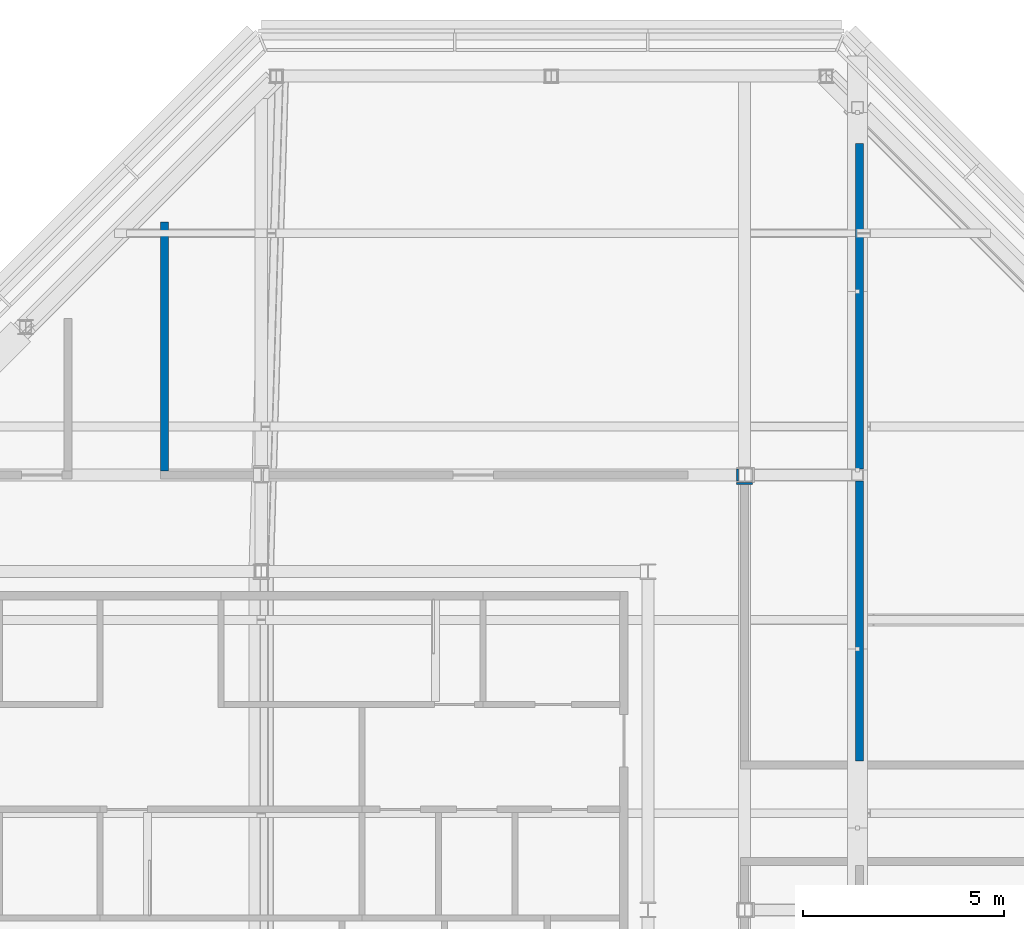
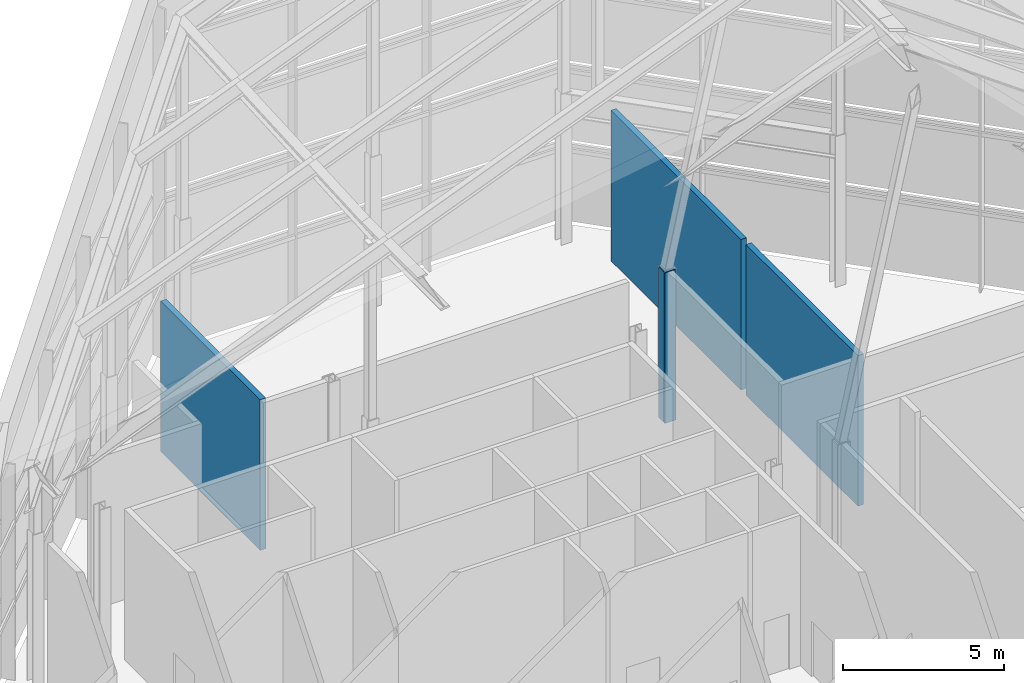
# One storey, part 20 of 21: 5 walls.
"""IFC4 building model written with IfcOpenShell, lengths in metres."""

from ifc_helpers import new_model, si_unit, direction, frame, frame_2d, origin, place, context, subcontext, project, spatial, rectangle, extrude, material, layer, layer_set, type_object, element, save


model = new_model("IFC4")

# Units and contexts
model_context = context("Model", 3, precision=1e-05, world=origin(), true_north=direction((0.0, 1.0)))
body_context = subcontext(model_context, "Body", "Model", "MODEL_VIEW")
ifc_project = project(units=[si_unit("LENGTHUNIT", "METRE"), si_unit("AREAUNIT", "SQUARE_METRE"), si_unit("VOLUMEUNIT", "CUBIC_METRE"), si_unit("PLANEANGLEUNIT", "RADIAN"), si_unit("MASSUNIT", "GRAM", prefix="KILO")], contexts=[model_context])

# Site, building, storey
site_placement = place(None, origin())
site = spatial("IfcSite", under=ifc_project, at=site_placement, CompositionType="ELEMENT")
building_placement = place(site_placement, origin())
building = spatial("IfcBuilding", under=site, at=building_placement, Name="Cairn Pilgrim Tower", CompositionType="ELEMENT")
storey_placement = place(building_placement, frame((0.0, 0.0, 295.800048828125)))
storey = spatial("IfcBuildingStorey", under=building, at=storey_placement, Name="L76", CompositionType="ELEMENT", Elevation=295.800048828125)

# Walls
ifc_material = material(Name="Gypsum partition")
ifc_layer_1 = layer(ifc_material, 0.050048828125)
ifc_layer_set_1 = layer_set([ifc_layer_1], Name="PARTITION 50 DRYWALL EI 120")
wall_type_1 = type_object("IfcWallType", Name="PARTITION 50 DRYWALL EI 120", PredefinedType="PARTITIONING", material=ifc_layer_set_1)
wall_1_placement = place(storey_placement, frame((19.021484375, 13.050048828125, 0.0), z_axis=(0.0, 0.0, 1.0), x_axis=(0.0, 1.0, 0.0)))
element("IfcWall", 1, at=wall_1_placement, inside=storey, type_object=wall_type_1, Name="COLUMN CASING WC11", PredefinedType="PARTITIONING", context=body_context, shape_type="SweptSolid", body=[
    extrude(rectangle(XDim=0.300048828125, YDim=0.050048828125, at=frame_2d((0.14990234375, 0.0))), origin(), (0.0, 0.0, 1.0), 5.699951171875),
])
wall_2_placement = place(storey_placement, frame((19.0029296875, 12.987548828125, 0.0), z_axis=(0.0, 0.0, 1.0), x_axis=(1.0, 0.0, 0.0)))
element("IfcWall", 2, at=wall_2_placement, inside=storey, type_object=wall_type_1, Name="COLUMN CASING WC13", PredefinedType="PARTITIONING", context=body_context, shape_type="SweptSolid", body=[
    extrude(rectangle(XDim=0.39404296875, YDim=0.050048828125, at=frame_2d((0.197021484375, 0.0))), origin(), (0.0, 0.0, 1.0), 5.699951171875),
])
ifc_layer_2 = layer(ifc_material, 0.199951171875)
ifc_layer_set_2 = layer_set([ifc_layer_2], Name="SHAFT WALL 200 GYPSUM EI 120")
wall_type_2 = type_object("IfcWallType", Name="SHAFT WALL 200 GYPSUM EI 120", PredefinedType="PARTITIONING", material=ifc_layer_set_2)
wall_3_placement = place(storey_placement, frame((22.050048828125, 6.10009765625, 0.0), z_axis=(0.0, 0.0, 1.0), x_axis=(0.0, 1.0, 0.0)))
element("IfcWall", 3, at=wall_3_placement, inside=storey, type_object=wall_type_2, Name="PARTITION W022", PredefinedType="PARTITIONING", context=body_context, shape_type="SweptSolid", body=[
    extrude(rectangle(XDim=6.949951171875, YDim=0.199951171875, at=frame_2d((3.47509765625, 0.0))), origin(), (0.0, 0.0, 1.0), 5.699951171875),
])
wall_4_placement = place(storey_placement, frame((4.800048828125, 13.300048828125, 0.0), z_axis=(0.0, 0.0, 1.0), x_axis=(0.0, 1.0, 0.0)))
element("IfcWall", 4, at=wall_4_placement, inside=storey, type_object=wall_type_2, Name="PARTITION W027", PredefinedType="PARTITIONING", context=body_context, shape_type="SweptSolid", body=[
    extrude(rectangle(XDim=6.178955078125, YDim=0.199951171875, at=frame_2d((3.08935546875, 0.0))), origin(), (0.0, 0.0, 1.0), 5.699951171875),
])
wall_5_placement = place(storey_placement, frame((22.050048828125, 13.35009765625, 0.0), z_axis=(0.0, 0.0, 1.0), x_axis=(0.0, 1.0, 0.0)))
element("IfcWall", 5, at=wall_5_placement, inside=storey, type_object=wall_type_2, Name="PARTITION W028", PredefinedType="PARTITIONING", context=body_context, shape_type="SweptSolid", body=[
    extrude(rectangle(XDim=8.078857421875, YDim=0.199951171875, at=frame_2d((4.03955078125, 0.0))), origin(), (0.0, 0.0, 1.0), 5.699951171875),
])

save(model, "model.ifc")
